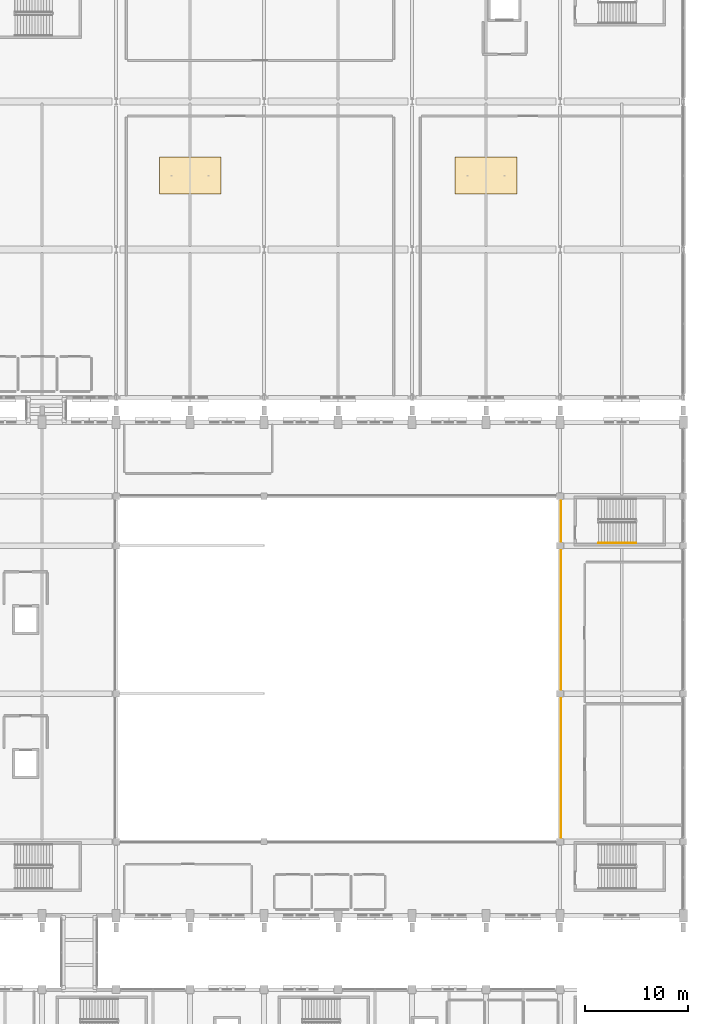
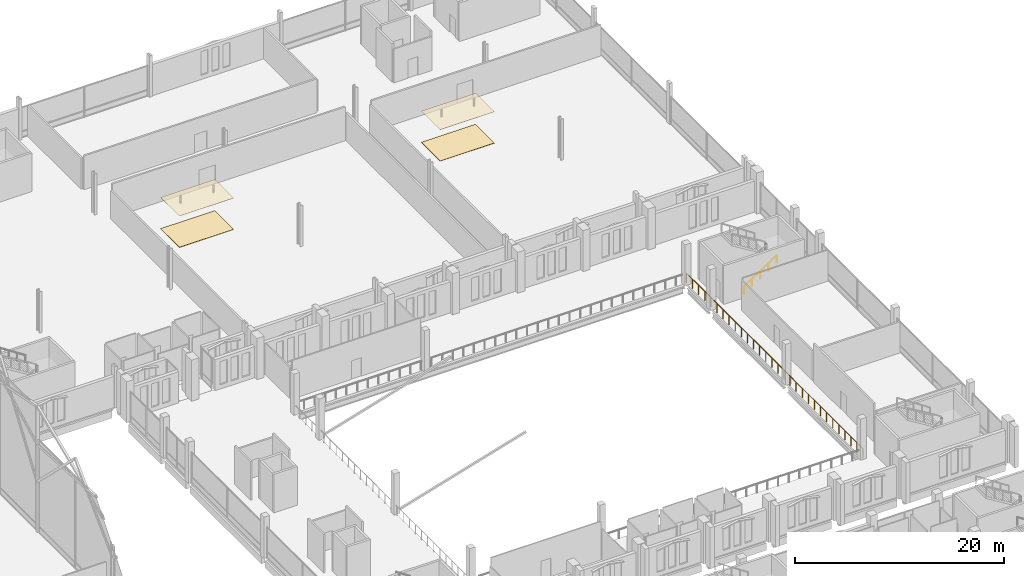
# One storey, part 213 of 220: 4 coverings, 2 railings.
"""IFC4 building model written with IfcOpenShell, lengths in metres."""

from ifc_helpers import new_model, si_unit, direction, frame, origin, origin_2d, place, context, subcontext, project, spatial, polyline, circle, outline, extrude, material, layer, layer_set, type_object, element, save


model = new_model("IFC4")

# Units and contexts
model_context = context("Model", 3, precision=1e-05, world=origin(), true_north=direction((0.0, 1.0)))
body_context = subcontext(model_context, "Body", "Model", "MODEL_VIEW")
ifc_project = project(units=[si_unit("LENGTHUNIT", "METRE"), si_unit("AREAUNIT", "SQUARE_METRE"), si_unit("VOLUMEUNIT", "CUBIC_METRE"), si_unit("PLANEANGLEUNIT", "RADIAN"), si_unit("MASSUNIT", "GRAM", prefix="KILO")], contexts=[model_context])

# Site, building, storey
site_placement = place(None, origin())
site = spatial("IfcSite", under=ifc_project, at=site_placement, CompositionType="ELEMENT")
building_placement = place(site_placement, origin())
building = spatial("IfcBuilding", under=site, at=building_placement, Name="Cendralis Lancet Convention Centre", CompositionType="ELEMENT")
storey_placement = place(building_placement, frame((0.0, 0.0, 5.39990234375)))
storey = spatial("IfcBuildingStorey", under=building, at=storey_placement, Name="L01", CompositionType="ELEMENT", Elevation=5.39990234375)

# Coverings
ifc_material_1 = material(Name="Perforated acoustic mineral-wood ceiling", Category="wood")
ifc_layer_1 = layer(ifc_material_1, 0.030029296875, Name="Perforated acoustic mineral-wood ceiling")
ifc_layer_set_1 = layer_set([ifc_layer_1], Name="Perforated acoustic mineral-wood ceiling")
covering_type_1 = type_object("IfcCoveringType", Name="ARC-CV-CLG1", PredefinedType="CEILING", material=ifc_layer_set_1)
covering_1_placement = place(storey_placement, frame((0.0, 0.0, 3.650146484375)))
element("IfcCovering", 1, at=covering_1_placement, inside=storey, type_object=covering_type_1, Name="L01 Acoustic Suspended Ceiling CL-ACS #07", PredefinedType="CEILING", context=body_context, shape_type="SweptSolid", body=[
    extrude(outline(polyline([(157.800048828125, 113.39990234375), (163.800048828125, 113.39990234375), (163.800048828125, 117.0), (157.800048828125, 117.0), (157.800048828125, 113.39990234375)])), origin(), (0.0, 0.0, 1.0), 0.030029296875),
])
covering_2_placement = place(storey_placement, frame((0.0, 0.0, 3.650146484375)))
element("IfcCovering", 2, at=covering_2_placement, inside=storey, type_object=covering_type_1, Name="L01 Acoustic Suspended Ceiling CL-ACS #08", PredefinedType="CEILING", context=body_context, shape_type="SweptSolid", body=[
    extrude(outline(polyline([(186.60009765625, 113.39990234375), (192.60009765625, 113.39990234375), (192.60009765625, 117.0), (186.60009765625, 117.0), (186.60009765625, 113.39990234375)])), origin(), (0.0, 0.0, 1.0), 0.030029296875),
])
ifc_material_2 = material(Name="Polished Andean granite terrazzo flooring", Category="masonry")
ifc_layer_2 = layer(ifc_material_2, 0.030029296875, Name="Polished Andean granite terrazzo flooring")
ifc_layer_set_2 = layer_set([ifc_layer_2], Name="Polished Andean granite terrazzo flooring")
covering_type_2 = type_object("IfcCoveringType", Name="ARC-CV-FLR1", PredefinedType="FLOORING", material=ifc_layer_set_2)
covering_3_placement = place(storey_placement, origin())
element("IfcCovering", 3, at=covering_3_placement, inside=storey, type_object=covering_type_2, Name="L01 Terrazzo Concourse Flooring FL-TRZ #07", PredefinedType="FLOORING", context=body_context, shape_type="SweptSolid", body=[
    extrude(outline(polyline([(157.800048828125, 113.39990234375), (163.800048828125, 113.39990234375), (163.800048828125, 117.0), (157.800048828125, 117.0), (157.800048828125, 113.39990234375)])), origin(), (0.0, 0.0, 1.0), 0.030029296875),
])
covering_4_placement = place(storey_placement, origin())
element("IfcCovering", 4, at=covering_4_placement, inside=storey, type_object=covering_type_2, Name="L01 Terrazzo Concourse Flooring FL-TRZ #08", PredefinedType="FLOORING", context=body_context, shape_type="SweptSolid", body=[
    extrude(outline(polyline([(186.60009765625, 113.39990234375), (192.60009765625, 113.39990234375), (192.60009765625, 117.0), (186.60009765625, 117.0), (186.60009765625, 113.39990234375)])), origin(), (0.0, 0.0, 1.0), 0.030029296875),
])

# Railings
ifc_material_3 = material(Name="Steel S355", Category="steel")
railing_type_1 = type_object("IfcRailingType", Name="ARC-RL-CHR", PredefinedType="HANDRAIL", material=ifc_material_3)
railing_1_placement = place(storey_placement, frame((200.550048828125, 79.449951171875, 0.171630859375)))
element("IfcRailing", 5, at=railing_1_placement, inside=storey, type_object=railing_type_1, Name="L01 ST-10 stair handrail 1", PredefinedType="HANDRAIL", context=body_context, shape_type="SweptSolid", body=[
    extrude(circle(Radius=0.02392578125, at=origin_2d()), frame((0.0, 0.0, 0.8759765625), z_axis=(0.834865213223, 0.0, 0.550454426587), x_axis=(0.0, 1.0, 0.0)), (0.0, 0.0, 1.0), 4.35986328125),
    extrude(circle(Radius=0.02099609375, at=origin_2d()), origin(), (0.0, 0.0, 1.0), 0.851806640625),
    extrude(circle(Radius=0.02099609375, at=origin_2d()), frame((0.909912109375, 0.0, 0.60009765625)), (0.0, 0.0, 1.0), 0.851806640625),
    extrude(circle(Radius=0.02099609375, at=origin_2d()), frame((1.81982421875, 0.0, 1.199951171875)), (0.0, 0.0, 1.0), 0.851806640625),
    extrude(circle(Radius=0.02099609375, at=origin_2d()), frame((2.72998046875, 0.0, 1.7998046875)), (0.0, 0.0, 1.0), 0.851806640625),
    extrude(circle(Radius=0.02099609375, at=origin_2d()), frame((3.639892578125, 0.0, 2.39990234375)), (0.0, 0.0, 1.0), 0.851806640625),
])
railing_type_2 = type_object("IfcRailingType", Name="ARC-RL-IG01", PredefinedType="GUARDRAIL", material=ifc_material_3)
railing_2_placement = place(storey_placement, frame((196.89990234375, 50.300048828125, 0.0)))
element("IfcRailing", 6, at=railing_2_placement, inside=storey, type_object=railing_type_2, Name="L01 Atrium Void Guardrail GD-IN1 #006", PredefinedType="GUARDRAIL", context=body_context, shape_type="SweptSolid", body=[
    extrude(circle(Radius=0.02392578125, at=origin_2d()), frame((0.0, 0.0, 1.076171875), z_axis=(0.0, 1.0, 0.0), x_axis=(-1.0, 0.0, 0.0)), (0.0, 0.0, 1.0), 33.800048828125),
    extrude(circle(Radius=0.02099609375, at=origin_2d()), origin(), (0.0, 0.0, 1.0), 1.052001953125),
    extrude(circle(Radius=0.02099609375, at=origin_2d()), frame((0.0, 1.16552734375, 0.0)), (0.0, 0.0, 1.0), 1.052001953125),
    extrude(circle(Radius=0.02099609375, at=origin_2d()), frame((0.0, 2.3310546875, 0.0)), (0.0, 0.0, 1.0), 1.052001953125),
    extrude(circle(Radius=0.02099609375, at=origin_2d()), frame((0.0, 3.49658203125, 0.0)), (0.0, 0.0, 1.0), 1.052001953125),
    extrude(circle(Radius=0.02099609375, at=origin_2d()), frame((0.0, 4.662109375, 0.0)), (0.0, 0.0, 1.0), 1.052001953125),
    extrude(circle(Radius=0.02099609375, at=origin_2d()), frame((0.0, 5.82763671875, 0.0)), (0.0, 0.0, 1.0), 1.052001953125),
    extrude(circle(Radius=0.02099609375, at=origin_2d()), frame((0.0, 6.9931640625, 0.0)), (0.0, 0.0, 1.0), 1.052001953125),
    extrude(circle(Radius=0.02099609375, at=origin_2d()), frame((0.0, 8.15869140625, 0.0)), (0.0, 0.0, 1.0), 1.052001953125),
    extrude(circle(Radius=0.02099609375, at=origin_2d()), frame((0.0, 9.32421875, 0.0)), (0.0, 0.0, 1.0), 1.052001953125),
    extrude(circle(Radius=0.02099609375, at=origin_2d()), frame((0.0, 10.48974609375, 0.0)), (0.0, 0.0, 1.0), 1.052001953125),
    extrude(circle(Radius=0.02099609375, at=origin_2d()), frame((0.0, 11.6552734375, 0.0)), (0.0, 0.0, 1.0), 1.052001953125),
    extrude(circle(Radius=0.02099609375, at=origin_2d()), frame((0.0, 12.82080078125, 0.0)), (0.0, 0.0, 1.0), 1.052001953125),
    extrude(circle(Radius=0.02099609375, at=origin_2d()), frame((0.0, 13.986328125, 0.0)), (0.0, 0.0, 1.0), 1.052001953125),
    extrude(circle(Radius=0.02099609375, at=origin_2d()), frame((0.0, 15.15185546875, 0.0)), (0.0, 0.0, 1.0), 1.052001953125),
    extrude(circle(Radius=0.02099609375, at=origin_2d()), frame((0.0, 16.3173828125, 0.0)), (0.0, 0.0, 1.0), 1.052001953125),
    extrude(circle(Radius=0.02099609375, at=origin_2d()), frame((0.0, 17.482666015625, 0.0)), (0.0, 0.0, 1.0), 1.052001953125),
    extrude(circle(Radius=0.02099609375, at=origin_2d()), frame((0.0, 18.648193359375, 0.0)), (0.0, 0.0, 1.0), 1.052001953125),
    extrude(circle(Radius=0.02099609375, at=origin_2d()), frame((0.0, 19.813720703125, 0.0)), (0.0, 0.0, 1.0), 1.052001953125),
    extrude(circle(Radius=0.02099609375, at=origin_2d()), frame((0.0, 20.979248046875, 0.0)), (0.0, 0.0, 1.0), 1.052001953125),
    extrude(circle(Radius=0.02099609375, at=origin_2d()), frame((0.0, 22.144775390625, 0.0)), (0.0, 0.0, 1.0), 1.052001953125),
    extrude(circle(Radius=0.02099609375, at=origin_2d()), frame((0.0, 23.310302734375, 0.0)), (0.0, 0.0, 1.0), 1.052001953125),
    extrude(circle(Radius=0.02099609375, at=origin_2d()), frame((0.0, 24.475830078125, 0.0)), (0.0, 0.0, 1.0), 1.052001953125),
    extrude(circle(Radius=0.02099609375, at=origin_2d()), frame((0.0, 25.641357421875, 0.0)), (0.0, 0.0, 1.0), 1.052001953125),
    extrude(circle(Radius=0.02099609375, at=origin_2d()), frame((0.0, 26.806884765625, 0.0)), (0.0, 0.0, 1.0), 1.052001953125),
    extrude(circle(Radius=0.02099609375, at=origin_2d()), frame((0.0, 27.972412109375, 0.0)), (0.0, 0.0, 1.0), 1.052001953125),
    extrude(circle(Radius=0.02099609375, at=origin_2d()), frame((0.0, 29.137939453125, 0.0)), (0.0, 0.0, 1.0), 1.052001953125),
    extrude(circle(Radius=0.02099609375, at=origin_2d()), frame((0.0, 30.303466796875, 0.0)), (0.0, 0.0, 1.0), 1.052001953125),
    extrude(circle(Radius=0.02099609375, at=origin_2d()), frame((0.0, 31.468994140625, 0.0)), (0.0, 0.0, 1.0), 1.052001953125),
    extrude(circle(Radius=0.02099609375, at=origin_2d()), frame((0.0, 32.634521484375, 0.0)), (0.0, 0.0, 1.0), 1.052001953125),
    extrude(circle(Radius=0.02099609375, at=origin_2d()), frame((0.0, 33.800048828125, 0.0)), (0.0, 0.0, 1.0), 1.052001953125),
])

save(model, "model.ifc")
